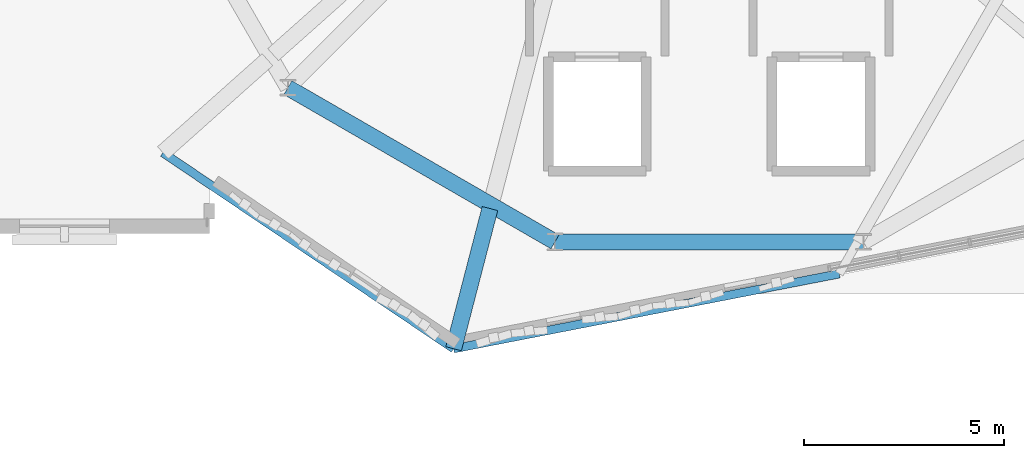
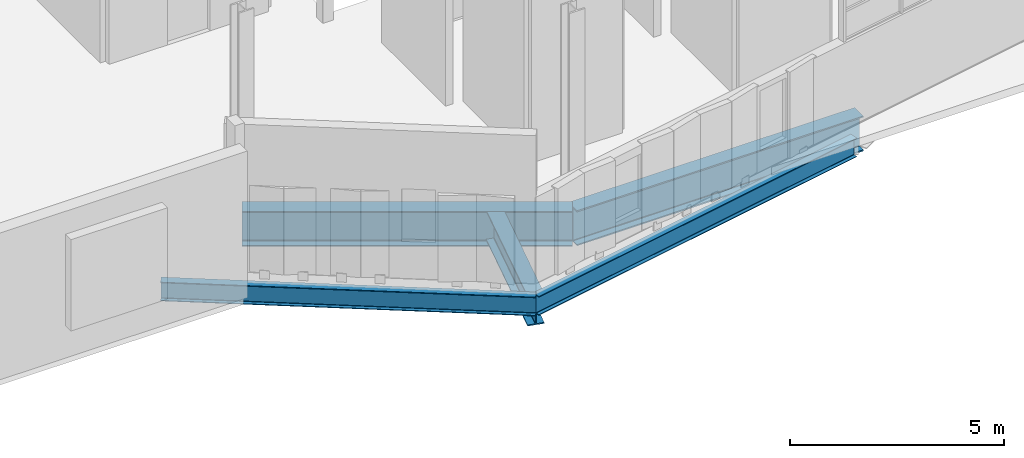
# One storey, part 24 of 142: 5 beams.
"""IFC4 building model written with IfcOpenShell, lengths in metres."""

from ifc_helpers import new_model, si_unit, direction, frame, origin, origin_2d, place, context, subcontext, project, spatial, i_section, extrude, material, material_profile, profile_set, type_object, element, save


model = new_model("IFC4")

# Units and contexts
model_context = context("Model", 3, precision=1e-05, world=origin(), true_north=direction((0.0, 1.0)))
body_context = subcontext(model_context, "Body", "Model", "MODEL_VIEW")
ifc_project = project(units=[si_unit("LENGTHUNIT", "METRE"), si_unit("AREAUNIT", "SQUARE_METRE"), si_unit("VOLUMEUNIT", "CUBIC_METRE"), si_unit("PLANEANGLEUNIT", "RADIAN"), si_unit("MASSUNIT", "GRAM", prefix="KILO"), si_unit("THERMODYNAMICTEMPERATUREUNIT", "KELVIN"), si_unit("POWERUNIT", "WATT")], contexts=[model_context])

# Site, building, storey
site_placement = place(None, origin())
site = spatial("IfcSite", under=ifc_project, at=site_placement, CompositionType="ELEMENT")
building_placement = place(site_placement, origin())
building = spatial("IfcBuilding", under=site, at=building_placement, Name="Zelmaris Science Centre", CompositionType="ELEMENT")
storey_placement = place(building_placement, frame((0.0, 0.0, 5.39990234375)))
storey = spatial("IfcBuildingStorey", under=building, at=storey_placement, Name="L01", CompositionType="ELEMENT", Elevation=5.39990234375)

# Beams
ifc_material = material(Name="Steel ASTM A992 Grade 50", Category="steel")
ifc_material_profile_1 = material_profile(ifc_material, i_section(OverallWidth=0.40087890625, OverallDepth=1.0009765625, WebThickness=0.01904296875, FlangeThickness=0.0361328125, FilletRadius=0.02490234375, at=origin_2d()), Name="W40X249")
ifc_profile_set_1 = profile_set([ifc_material_profile_1], Name="Steel ASTM A992 Grade 50")
beam_type_1 = type_object("IfcBeamType", Name="Beam G-22 W40X249", PredefinedType="BEAM", material=ifc_profile_set_1)
for number, where, z_axis, x_axis, name in (
    (1, (70.464111328125, 25.464111328125, -0.80029296875), (0.866021648359, -0.500006504531, 0.0), (0.500006504531, 0.866021648359, 0.0), "L01 Exhibition inner ring girder 8"),
    (2, (77.1435546875, 21.607666015625, -0.80029296875), (1.0, 0.0, 0.0), (0.0, 1.0, 0.0), "L01 Exhibition inner ring girder 9"),
):
    element("IfcBeam", number, at=place(storey_placement, frame(where, z_axis=z_axis, x_axis=x_axis)), inside=storey, type_object=beam_type_1, Name=name, PredefinedType="BEAM", context=body_context, shape_type="SweptSolid", body=[
        extrude(i_section(OverallWidth=0.40087890625, OverallDepth=1.0009765625, WebThickness=0.01904296875, FlangeThickness=0.0361328125, FilletRadius=0.02490234375, at=origin_2d()), origin(), (0.0, 0.0, 1.0), 7.712890625),
    ])
ifc_material_profile_2 = material_profile(ifc_material, i_section(OverallWidth=0.404052734375, OverallDepth=0.861083984375, WebThickness=0.019775390625, FlangeThickness=0.032470703125, FilletRadius=0.02001953125, at=origin_2d()), Name="W33X221")
ifc_profile_set_2 = profile_set([ifc_material_profile_2], Name="Steel ASTM A992 Grade 50")
beam_type_2 = type_object("IfcBeamType", Name="Beam G-28 W33X221", PredefinedType="BEAM", material=ifc_profile_set_2)
beam_1_placement = place(storey_placement, frame((75.517333984375, 22.44091796875, -0.73046875), z_axis=(-0.250948123308, -0.968000536884, 0.0), x_axis=(0.968000536884, -0.250948123308, 0.0)))
element("IfcBeam", 3, at=beam_1_placement, inside=storey, type_object=beam_type_2, Name="L01 Radial overhang girder 1", PredefinedType="BEAM", context=body_context, shape_type="SweptSolid", body=[
    extrude(i_section(OverallWidth=0.404052734375, OverallDepth=0.861083984375, WebThickness=0.019775390625, FlangeThickness=0.032470703125, FilletRadius=0.02001953125, at=origin_2d()), origin(), (0.0, 0.0, 1.0), 3.6220703125),
])
ifc_material_profile_3 = material_profile(ifc_material, i_section(OverallWidth=0.2109375, OverallDepth=0.5380859375, WebThickness=0.01171875, FlangeThickness=0.018798828125, FilletRadius=0.013916015625, at=origin_2d()), Name="W21X73")
ifc_profile_set_3 = profile_set([ifc_material_profile_3], Name="Steel ASTM A992 Grade 50")
beam_type_3 = type_object("IfcBeamType", Name="Beam SP-02 W21X73", PredefinedType="SPANDREL", material=ifc_profile_set_3)
beam_2_placement = place(storey_placement, frame((74.6083984375, 18.934814453125, -0.56884765625), z_axis=(0.981630000887, 0.190794500337, 0.0), x_axis=(-0.190794500337, 0.981630000887, 0.0)))
element("IfcBeam", 4, at=beam_2_placement, inside=storey, type_object=beam_type_3, Name="L01 Rotated facade spandrel beam 1", PredefinedType="SPANDREL", context=body_context, shape_type="SweptSolid", body=[
    extrude(i_section(OverallWidth=0.2109375, OverallDepth=0.5380859375, WebThickness=0.01171875, FlangeThickness=0.018798828125, FilletRadius=0.013916015625, at=origin_2d()), origin(), (0.0, 0.0, 1.0), 9.82470703125),
])
beam_3_placement = place(storey_placement, frame((67.339111328125, 23.837646484375, -0.56884765625), z_axis=(0.829056819459, -0.559164367703, 0.0), x_axis=(0.559164367703, 0.829056819459, 0.0)))
element("IfcBeam", 5, at=beam_3_placement, inside=storey, type_object=beam_type_3, Name="L01 Rotated facade spandrel beam 4", PredefinedType="SPANDREL", context=body_context, shape_type="SweptSolid", body=[
    extrude(i_section(OverallWidth=0.2109375, OverallDepth=0.5380859375, WebThickness=0.01171875, FlangeThickness=0.018798828125, FilletRadius=0.013916015625, at=origin_2d()), origin(), (0.0, 0.0, 1.0), 8.76806640625),
])

save(model, "model.ifc")
